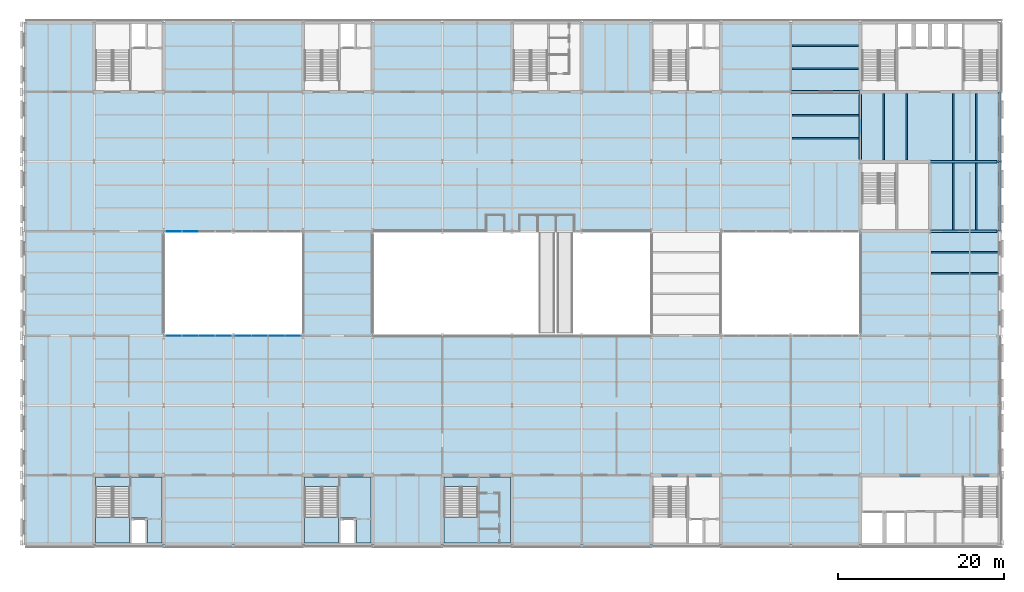
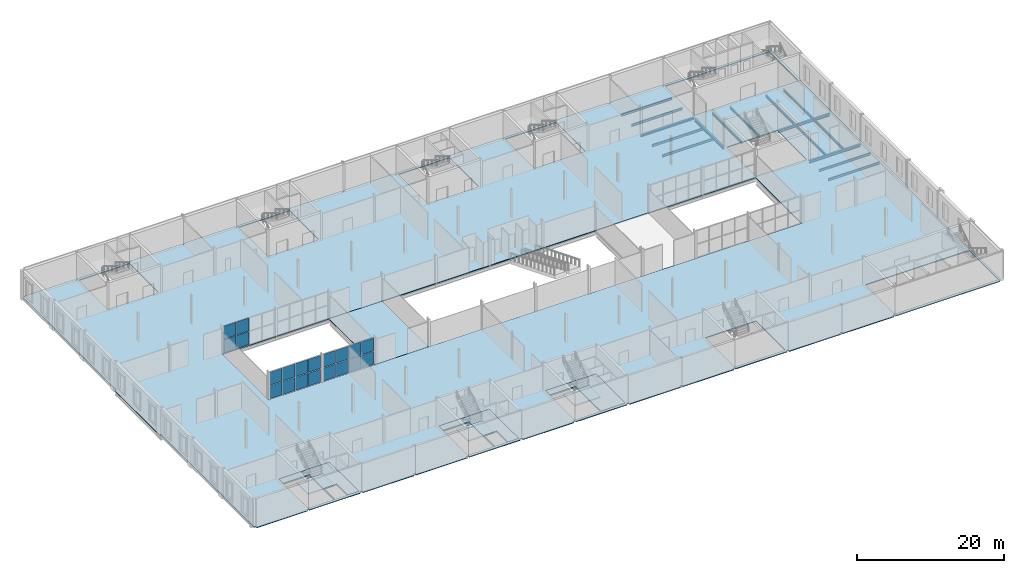
# One storey, part 25 of 52: 20 plates, 18 beams, 8 slabs, 6 elements without a shape of their own.
"""IFC4 building model written with IfcOpenShell, lengths in metres."""

from ifc_helpers import new_model, si_unit, direction, frame, origin, origin_2d, place, context, subcontext, project, spatial, polyline, rectangle, i_section, outline, extrude, material, layer, layer_set, material_profile, profile_set, type_object, element, aggregate, save


model = new_model("IFC4")

# Units and contexts
model_context = context("Model", 3, precision=1e-05, world=origin(), true_north=direction((0.0, 1.0)))
body_context = subcontext(model_context, "Body", "Model", "MODEL_VIEW")
ifc_project = project(units=[si_unit("LENGTHUNIT", "METRE"), si_unit("AREAUNIT", "SQUARE_METRE"), si_unit("VOLUMEUNIT", "CUBIC_METRE"), si_unit("PLANEANGLEUNIT", "RADIAN"), si_unit("MASSUNIT", "GRAM", prefix="KILO")], contexts=[model_context])

# Site, building, storey
site_placement = place(None, origin())
site = spatial("IfcSite", under=ifc_project, at=site_placement, CompositionType="ELEMENT")
building_placement = place(site_placement, origin())
building = spatial("IfcBuilding", under=site, at=building_placement, Name="Galleria Vessillo Department Store", CompositionType="ELEMENT")
storey_placement = place(building_placement, frame((0.0, 0.0, 16.199951171875)))
storey = spatial("IfcBuildingStorey", under=building, at=storey_placement, Name="L03", CompositionType="ELEMENT", Elevation=16.199951171875)

# Beams
ifc_material_1 = material(Name="Steel S355 J2", Category="steel")
ifc_material_profile_1 = material_profile(ifc_material_1, i_section(OverallWidth=0.300048828125, OverallDepth=0.43994140625, WebThickness=0.011474609375, FlangeThickness=0.02099609375, FilletRadius=0.027099609375, at=origin_2d()), Name="HEA 450")
ifc_profile_set_1 = profile_set([ifc_material_profile_1], Name="Steel S355 J2")
beam_type_1 = type_object("IfcBeamType", Name="Floor girder HEA 450", PredefinedType="BEAM", material=ifc_profile_set_1)
for number, where, z_axis, x_axis, name in (
    (1, (109.210693359375, 37.800048828125, -0.369873046875), (1.0, 0.0, 0.0), (0.0, 1.0, 0.0), "S-BM-L03-GI-x37800-109211"),
    (2, (109.210693359375, 46.199951171875, -0.369873046875), (1.0, 0.0, 0.0), (0.0, 1.0, 0.0), "S-BM-L03-GI-x46200-109211"),
):
    element("IfcBeam", number, at=place(storey_placement, frame(where, z_axis=z_axis, x_axis=x_axis)), inside=storey, type_object=beam_type_1, Name=name, PredefinedType="BEAM", context=body_context, shape_type="SweptSolid", body=[
        extrude(i_section(OverallWidth=0.300048828125, OverallDepth=0.43994140625, WebThickness=0.011474609375, FlangeThickness=0.02099609375, FilletRadius=0.027099609375, at=origin_2d()), origin(), (0.0, 0.0, 1.0), 8.103271484375),
    ])
beam_1_placement = place(storey_placement, frame((100.800048828125, 46.486083984375, -0.369873046875), z_axis=(0.0, 1.0, 0.0), x_axis=(-1.0, 0.0, 0.0)))
element("IfcBeam", 3, at=beam_1_placement, inside=storey, type_object=beam_type_1, Name="S-BM-L03-GI-y100800-46486", PredefinedType="BEAM", context=body_context, shape_type="SweptSolid", body=[
    extrude(i_section(OverallWidth=0.300048828125, OverallDepth=0.43994140625, WebThickness=0.011474609375, FlangeThickness=0.02099609375, FilletRadius=0.027099609375, at=origin_2d()), origin(), (0.0, 0.0, 1.0), 7.827880859375),
])
ifc_material_2 = material(Name="Steel S355 J2", Category="steel")
ifc_material_profile_2 = material_profile(ifc_material_2, i_section(OverallWidth=0.179931640625, OverallDepth=0.39990234375, WebThickness=0.008544921875, FlangeThickness=0.013427734375, FilletRadius=0.02099609375, at=origin_2d()), Name="IPE 400")
ifc_profile_set_2 = profile_set([ifc_material_profile_2], Name="Steel S355 J2")
beam_type_2 = type_object("IfcBeamType", Name="Floor joist IPE 400", PredefinedType="JOIST", material=ifc_profile_set_2)
for number, where, z_axis, x_axis, name in (
    (4, (92.550048828125, 49.0, -0.349853515625), (1.0, 0.0, 0.0), (0.0, 1.0, 0.0), "S-BM-L03-JO-x49000-92550"),
    (5, (92.550048828125, 51.800048828125, -0.349853515625), (1.0, 0.0, 0.0), (0.0, 1.0, 0.0), "S-BM-L03-JO-x51800-92550"),
):
    element("IfcBeam", number, at=place(storey_placement, frame(where, z_axis=z_axis, x_axis=x_axis)), inside=storey, type_object=beam_type_2, Name=name, PredefinedType="JOIST", context=body_context, shape_type="SweptSolid", body=[
        extrude(i_section(OverallWidth=0.179931640625, OverallDepth=0.39990234375, WebThickness=0.008544921875, FlangeThickness=0.013427734375, FilletRadius=0.02099609375, at=origin_2d()), origin(), (0.0, 0.0, 1.0), 8.099853515625),
    ])
for number, where, z_axis, x_axis, name in (
    (6, (92.550048828125, 57.39990234375, -0.349853515625), (1.0, 0.0, 0.0), (0.0, 1.0, 0.0), "S-BM-L03-JO-x57400-92550"),
    (7, (92.550048828125, 60.199951171875, -0.349853515625), (1.0, 0.0, 0.0), (0.0, 1.0, 0.0), "S-BM-L03-JO-x60200-92550"),
):
    element("IfcBeam", number, at=place(storey_placement, frame(where, z_axis=z_axis, x_axis=x_axis)), inside=storey, type_object=beam_type_2, Name=name, PredefinedType="JOIST", context=body_context, shape_type="SweptSolid", body=[
        extrude(i_section(OverallWidth=0.179931640625, OverallDepth=0.39990234375, WebThickness=0.008544921875, FlangeThickness=0.013427734375, FilletRadius=0.02099609375, at=origin_2d()), origin(), (0.0, 0.0, 1.0), 8.0498046875),
    ])
for number, where, z_axis, x_axis, name in (
    (8, (103.60009765625, 46.400146484375, -0.349853515625), (0.0, 1.0, 0.0), (-1.0, 0.0, 0.0), "S-BM-L03-JO-y103600-46400"),
    (9, (106.39990234375, 46.400146484375, -0.349853515625), (0.0, 1.0, 0.0), (-1.0, 0.0, 0.0), "S-BM-L03-JO-y106400-46400"),
):
    element("IfcBeam", number, at=place(storey_placement, frame(where, z_axis=z_axis, x_axis=x_axis)), inside=storey, type_object=beam_type_2, Name=name, PredefinedType="JOIST", context=body_context, shape_type="SweptSolid", body=[
        extrude(i_section(OverallWidth=0.179931640625, OverallDepth=0.39990234375, WebThickness=0.008544921875, FlangeThickness=0.013427734375, FilletRadius=0.02099609375, at=origin_2d()), origin(), (0.0, 0.0, 1.0), 7.999755859375),
    ])
for number, where, z_axis, x_axis, name in (
    (10, (109.35009765625, 32.760009765625, -0.349853515625), (1.0, 0.0, 0.0), (0.0, 1.0, 0.0), "S-BM-L03-JO-x32760-109350"),
    (11, (109.35009765625, 35.280029296875, -0.349853515625), (1.0, 0.0, 0.0), (0.0, 1.0, 0.0), "S-BM-L03-JO-x35280-109350"),
):
    element("IfcBeam", number, at=place(storey_placement, frame(where, z_axis=z_axis, x_axis=x_axis)), inside=storey, type_object=beam_type_2, Name=name, PredefinedType="JOIST", context=body_context, shape_type="SweptSolid", body=[
        extrude(i_section(OverallWidth=0.179931640625, OverallDepth=0.39990234375, WebThickness=0.008544921875, FlangeThickness=0.013427734375, FilletRadius=0.02099609375, at=origin_2d()), origin(), (0.0, 0.0, 1.0), 8.09765625),
    ])
for number, where, z_axis, x_axis, name in (
    (12, (112.0, 37.9501953125, -0.349853515625), (0.0, 1.0, 0.0), (-1.0, 0.0, 0.0), "S-BM-L03-JO-y112000-37950"),
    (13, (114.800048828125, 37.9501953125, -0.349853515625), (0.0, 1.0, 0.0), (-1.0, 0.0, 0.0), "S-BM-L03-JO-y114800-37950"),
):
    element("IfcBeam", number, at=place(storey_placement, frame(where, z_axis=z_axis, x_axis=x_axis)), inside=storey, type_object=beam_type_2, Name=name, PredefinedType="JOIST", context=body_context, shape_type="SweptSolid", body=[
        extrude(i_section(OverallWidth=0.179931640625, OverallDepth=0.39990234375, WebThickness=0.008544921875, FlangeThickness=0.013427734375, FilletRadius=0.02099609375, at=origin_2d()), origin(), (0.0, 0.0, 1.0), 8.099609375),
    ])
for number, where, z_axis, x_axis, name in (
    (14, (112.0, 46.35009765625, -0.349853515625), (0.0, 1.0, 0.0), (-1.0, 0.0, 0.0), "S-BM-L03-JO-y112000-46350"),
    (15, (114.800048828125, 46.35009765625, -0.349853515625), (0.0, 1.0, 0.0), (-1.0, 0.0, 0.0), "S-BM-L03-JO-y114800-46350"),
):
    element("IfcBeam", number, at=place(storey_placement, frame(where, z_axis=z_axis, x_axis=x_axis)), inside=storey, type_object=beam_type_2, Name=name, PredefinedType="JOIST", context=body_context, shape_type="SweptSolid", body=[
        extrude(i_section(OverallWidth=0.179931640625, OverallDepth=0.39990234375, WebThickness=0.008544921875, FlangeThickness=0.013427734375, FilletRadius=0.02099609375, at=origin_2d()), origin(), (0.0, 0.0, 1.0), 8.0498046875),
    ])
ifc_material_3 = material(Name="Steel S355 J2", Category="steel")
ifc_material_profile_3 = material_profile(ifc_material_3, i_section(OverallWidth=0.300048828125, OverallDepth=0.330078125, WebThickness=0.009521484375, FlangeThickness=0.0166015625, FilletRadius=0.027099609375, at=origin_2d()), Name="HEA 340")
ifc_profile_set_3 = profile_set([ifc_material_profile_3], Name="Steel S355 J2")
beam_type_3 = type_object("IfcBeamType", Name="Floor tie girder HEA 340", PredefinedType="BEAM", material=ifc_profile_set_3)
beam_2_placement = place(storey_placement, frame((92.41064453125, 54.60009765625, -0.31494140625), z_axis=(1.0, 0.0, 0.0), x_axis=(0.0, 1.0, 0.0)))
element("IfcBeam", 16, at=beam_2_placement, inside=storey, type_object=beam_type_3, Name="S-BM-L03-TI-x54600-92411", PredefinedType="BEAM", context=body_context, shape_type="SweptSolid", body=[
    extrude(i_section(OverallWidth=0.300048828125, OverallDepth=0.330078125, WebThickness=0.009521484375, FlangeThickness=0.0166015625, FilletRadius=0.027099609375, at=origin_2d()), origin(), (0.0, 0.0, 1.0), 8.378662109375),
])
ifc_material_4 = material(Name="Steel S355 J2", Category="steel")
ifc_material_profile_4 = material_profile(ifc_material_4, i_section(OverallWidth=0.300048828125, OverallDepth=0.35009765625, WebThickness=0.010009765625, FlangeThickness=0.017578125, FilletRadius=0.027099609375, at=origin_2d()), Name="HEA 360")
ifc_profile_set_4 = profile_set([ifc_material_profile_4], Name="Steel S355 J2")
beam_type_4 = type_object("IfcBeamType", Name="Spandrel beam HEA 360", PredefinedType="SPANDREL", material=ifc_profile_set_4)
beam_3_placement = place(storey_placement, frame((117.60009765625, 37.810546875, -0.324951171875), z_axis=(0.0, 1.0, 0.0), x_axis=(-1.0, 0.0, 0.0)))
element("IfcBeam", 17, at=beam_3_placement, inside=storey, type_object=beam_type_4, Name="S-BM-L03-SP-y117600-37811", PredefinedType="SPANDREL", context=body_context, shape_type="SweptSolid", body=[
    extrude(i_section(OverallWidth=0.300048828125, OverallDepth=0.35009765625, WebThickness=0.010009765625, FlangeThickness=0.017578125, FilletRadius=0.027099609375, at=origin_2d()), origin(), (0.0, 0.0, 1.0), 8.37890625),
])
beam_4_placement = place(storey_placement, frame((117.60009765625, 46.210693359375, -0.324951171875), z_axis=(0.0, 1.0, 0.0), x_axis=(-1.0, 0.0, 0.0)))
element("IfcBeam", 18, at=beam_4_placement, inside=storey, type_object=beam_type_4, Name="S-BM-L03-SP-y117600-46211", PredefinedType="SPANDREL", context=body_context, shape_type="SweptSolid", body=[
    extrude(i_section(OverallWidth=0.300048828125, OverallDepth=0.35009765625, WebThickness=0.010009765625, FlangeThickness=0.017578125, FilletRadius=0.027099609375, at=origin_2d()), origin(), (0.0, 0.0, 1.0), 8.378662109375),
])

# Slabs
ifc_material_5 = material(Name="Concrete C32/40 composite on steel deck", Category="concrete")
ifc_layer_1 = layer(ifc_material_5, 0.14990234375)
ifc_layer_set_1 = layer_set([ifc_layer_1], Name="Concrete C32/40 composite on steel deck")
slab_type_1 = type_object("IfcSlabType", Name="Composite bridge slab 150 mm", PredefinedType="FLOOR", material=ifc_layer_set_1)
slab_1_placement = place(storey_placement, frame((0.0, 0.0, -0.14990234375)))
element("IfcSlab", 19, at=slab_1_placement, inside=storey, type_object=slab_type_1, Name="S-SLAB-L03-BRIDGE-W", PredefinedType="FLOOR", context=body_context, shape_type="SweptSolid", body=[
    extrude(outline(polyline([(42.0, 25.199951171875), (42.0, 37.800048828125), (33.60009765625, 37.800048828125), (33.60009765625, 25.199951171875), (42.0, 25.199951171875)])), origin(), (0.0, 0.0, 1.0), 0.14990234375),
])
ifc_material_6 = material(Name="Concrete C32/40 composite on steel deck", Category="concrete")
ifc_layer_2 = layer(ifc_material_6, 0.14990234375)
ifc_layer_set_2 = layer_set([ifc_layer_2], Name="Concrete C32/40 composite on steel deck")
slab_type_2 = type_object("IfcSlabType", Name="Composite floor slab 150 mm", PredefinedType="FLOOR", material=ifc_layer_set_2)
slab_2_placement = place(storey_placement, frame((0.0, 0.0, -0.14990234375)))
element("IfcSlab", 20, at=slab_2_placement, inside=storey, type_object=slab_type_2, Name="S-SLAB-L03-FLOOR", PredefinedType="FLOOR", context=body_context, shape_type="SweptSolid", body=[
    extrude(outline(polyline([(84.153564453125, 0.0), (83.846435546875, 0.0), (83.846435546875, -0.199462890625), (75.750732421875, -0.199462890625), (75.750732421875, 0.0), (75.449462890625, 0.0), (75.449462890625, -0.24951171875), (67.3505859375, -0.24951171875), (67.3505859375, 0.0), (67.04931640625, 0.0), (67.04931640625, -0.24951171875), (58.95068359375, -0.24951171875), (58.95068359375, 0.0), (58.6494140625, 0.0), (58.6494140625, -0.199462890625), (50.550537109375, -0.199462890625), (50.550537109375, 0.0), (50.249267578125, 0.0), (50.249267578125, -0.24951171875), (42.150634765625, -0.24951171875), (42.150634765625, 0.0), (41.849365234375, 0.0), (41.849365234375, -0.199462890625), (33.750732421875, -0.199462890625), (33.750732421875, 0.0), (33.449462890625, 0.0), (33.449462890625, -0.24951171875), (25.3505859375, -0.24951171875), (25.3505859375, 0.0), (25.04931640625, 0.0), (25.04931640625, -0.24951171875), (16.95068359375, -0.24951171875), (16.95068359375, 0.0), (16.6494140625, 0.0), (16.6494140625, -0.199462890625), (8.550537109375, -0.199462890625), (8.550537109375, 0.0), (8.249267578125, 0.0), (8.249267578125, -0.24951171875), (0.25048828125, -0.24951171875), (0.25048828125, 0.0), (0.0, 0.0), (0.0, 25.35302734375), (-0.25, 25.35302734375), (-0.25, 37.646484375), (0.0, 37.646484375), (0.0, 63.0), (0.25048828125, 63.0), (0.25048828125, 63.24951171875), (8.249267578125, 63.24951171875), (8.249267578125, 63.0), (8.550537109375, 63.0), (8.550537109375, 63.199462890625), (16.6494140625, 63.199462890625), (16.6494140625, 63.0), (16.95068359375, 63.0), (16.95068359375, 63.24951171875), (25.04931640625, 63.24951171875), (25.04931640625, 63.0), (25.3505859375, 63.0), (25.3505859375, 63.24951171875), (33.449462890625, 63.24951171875), (33.449462890625, 63.0), (33.750732421875, 63.0), (33.750732421875, 63.199462890625), (41.849365234375, 63.199462890625), (41.849365234375, 63.0), (42.150634765625, 63.0), (42.150634765625, 63.24951171875), (50.249267578125, 63.24951171875), (50.249267578125, 63.0), (50.550537109375, 63.0), (50.550537109375, 63.24951171875), (58.6494140625, 63.24951171875), (58.6494140625, 63.0), (58.95068359375, 63.0), (58.95068359375, 63.199462890625), (67.04931640625, 63.199462890625), (67.04931640625, 63.0), (67.3505859375, 63.0), (67.3505859375, 63.24951171875), (75.449462890625, 63.24951171875), (75.449462890625, 63.0), (75.750732421875, 63.0), (75.750732421875, 63.199462890625), (83.846435546875, 63.199462890625), (83.846435546875, 63.0), (84.153564453125, 63.0), (84.153564453125, 63.24951171875), (92.246337890625, 63.24951171875), (92.246337890625, 63.0), (92.553466796875, 63.0), (92.553466796875, 63.24951171875), (100.646484375, 63.24951171875), (100.646484375, 63.0), (100.95361328125, 63.0), (100.95361328125, 63.199462890625), (117.3134765625, 63.199462890625), (117.3134765625, 63.0), (117.60009765625, 63.0), (117.60009765625, 62.846435546875), (117.799560546875, 62.846435546875), (117.799560546875, 54.753662109375), (117.60009765625, 54.753662109375), (117.60009765625, 37.646484375), (117.7001953125, 37.646484375), (117.7001953125, 25.35302734375), (117.60009765625, 25.35302734375), (117.60009765625, 8.249267578125), (117.68017578125, 8.249267578125), (117.68017578125, 0.150634765625), (117.60009765625, 0.150634765625), (117.60009765625, 0.0), (117.349609375, 0.0), (117.349609375, -0.199462890625), (100.95361328125, -0.199462890625), (100.95361328125, 0.0), (100.646484375, 0.0), (100.646484375, -0.24951171875), (92.553466796875, -0.24951171875), (92.553466796875, 0.0), (92.246337890625, 0.0), (92.246337890625, -0.24951171875), (84.153564453125, -0.24951171875), (84.153564453125, 0.0)]), holes=[polyline([(16.800048828125, 37.800048828125), (16.800048828125, 25.199951171875), (100.800048828125, 25.199951171875), (100.800048828125, 37.800048828125), (16.800048828125, 37.800048828125)]), polyline([(8.599853515625, 8.199951171875), (8.599853515625, 0.199951171875), (16.60009765625, 0.199951171875), (16.60009765625, 8.199951171875), (8.599853515625, 8.199951171875)]), polyline([(33.800048828125, 8.199951171875), (33.800048828125, 0.199951171875), (41.800048828125, 0.199951171875), (41.800048828125, 8.199951171875), (33.800048828125, 8.199951171875)]), polyline([(50.599853515625, 8.199951171875), (50.599853515625, 0.199951171875), (58.60009765625, 0.199951171875), (58.60009765625, 8.199951171875), (50.599853515625, 8.199951171875)]), polyline([(16.60009765625, 62.800048828125), (8.599853515625, 62.800048828125), (8.599853515625, 54.800048828125), (16.60009765625, 54.800048828125), (16.60009765625, 62.800048828125)]), polyline([(41.800048828125, 62.800048828125), (33.800048828125, 62.800048828125), (33.800048828125, 54.800048828125), (41.800048828125, 54.800048828125), (41.800048828125, 62.800048828125)]), polyline([(59.0, 62.800048828125), (59.0, 54.800048828125), (67.0, 54.800048828125), (67.0, 62.800048828125), (59.0, 62.800048828125)]), polyline([(83.800048828125, 8.199951171875), (75.800048828125, 8.199951171875), (75.800048828125, 0.199951171875), (83.800048828125, 0.199951171875), (83.800048828125, 8.199951171875)]), polyline([(117.400146484375, 8.199951171875), (101.0, 8.199951171875), (101.0, 0.199951171875), (117.400146484375, 0.199951171875), (117.400146484375, 8.199951171875)]), polyline([(101.0, 46.0), (101.0, 38.0), (109.0, 38.0), (109.0, 46.0), (101.0, 46.0)]), polyline([(83.800048828125, 62.800048828125), (75.800048828125, 62.800048828125), (75.800048828125, 54.800048828125), (83.800048828125, 54.800048828125), (83.800048828125, 62.800048828125)]), polyline([(117.400146484375, 62.800048828125), (101.0, 62.800048828125), (101.0, 54.800048828125), (117.400146484375, 54.800048828125), (117.400146484375, 62.800048828125)])]), origin(), (0.0, 0.0, 1.0), 0.14990234375),
])

# Curtain wall, plates
ifc_material_7 = material(Name="Steel and fire-resisting glass curtain wall", Category="steel")
ifc_layer_3 = layer(ifc_material_7, 0.199951171875)
ifc_layer_set_3 = layer_set([ifc_layer_3], Name="Steel and fire-resisting glass curtain wall")
curtain_wall_type = type_object("IfcCurtainWallType", Name="Arcade fire-resisting glazed shopfront EI 120-Sa", PredefinedType="NOTDEFINED", material=ifc_layer_set_3)
curtain_wall_1_placement = place(storey_placement, origin())
curtain_wall_1 = element("IfcCurtainWall", 21, at=curtain_wall_1_placement, inside=storey, type_object=curtain_wall_type, Name="Arcade fire-resisting glazed shopfront EI 120-Sa AI-AW-S-L03-01", PredefinedType="NOTDEFINED")
ifc_material_8 = material(Name="Fire-resisting laminated glass EI 120", Category="glass")
ifc_layer_4 = layer(ifc_material_8, 0.052001953125)
ifc_layer_set_4 = layer_set([ifc_layer_4], Name="Fire-resisting laminated glass EI 120")
plate_type = type_object("IfcPlateType", Name="Fire-resisting glass panel 52 mm EI 120", PredefinedType="CURTAIN_PANEL", material=ifc_layer_set_4)
plate_1_placement = place(storey_placement, frame((17.989501953125, 25.199951171875, 0.10009765625), z_axis=(0.0, 0.0, 1.0), x_axis=(1.0, 0.0, 0.0)))
plate_1 = element("IfcPlate", 22, at=plate_1_placement, type_object=plate_type, Name="CW7 panel 1.1", PredefinedType="CURTAIN_PANEL", context=body_context, shape_type="SweptSolid", body=[
    extrude(rectangle(XDim=1.87353515625, YDim=0.052001953125, at=origin_2d()), origin(), (0.0, 0.0, 1.0), 2.175048828125),
])
plate_2_placement = place(storey_placement, frame((17.989501953125, 25.199951171875, 2.375), z_axis=(0.0, 0.0, 1.0), x_axis=(1.0, 0.0, 0.0)))
plate_2 = element("IfcPlate", 23, at=plate_2_placement, type_object=plate_type, Name="CW7 panel 1.2", PredefinedType="CURTAIN_PANEL", context=body_context, shape_type="SweptSolid", body=[
    extrude(rectangle(XDim=1.87353515625, YDim=0.052001953125, at=origin_2d()), origin(), (0.0, 0.0, 1.0), 2.175048828125),
])
plate_3_placement = place(storey_placement, frame((19.988037109375, 25.199951171875, 0.10009765625), z_axis=(0.0, 0.0, 1.0), x_axis=(1.0, 0.0, 0.0)))
plate_3 = element("IfcPlate", 24, at=plate_3_placement, type_object=plate_type, Name="CW7 panel 2.1", PredefinedType="CURTAIN_PANEL", context=body_context, shape_type="SweptSolid", body=[
    extrude(rectangle(XDim=1.923583984375, YDim=0.052001953125, at=origin_2d()), origin(), (0.0, 0.0, 1.0), 2.175048828125),
])
plate_4_placement = place(storey_placement, frame((19.988037109375, 25.199951171875, 2.375), z_axis=(0.0, 0.0, 1.0), x_axis=(1.0, 0.0, 0.0)))
plate_4 = element("IfcPlate", 25, at=plate_4_placement, type_object=plate_type, Name="CW7 panel 2.2", PredefinedType="CURTAIN_PANEL", context=body_context, shape_type="SweptSolid", body=[
    extrude(rectangle(XDim=1.923583984375, YDim=0.052001953125, at=origin_2d()), origin(), (0.0, 0.0, 1.0), 2.175048828125),
])
plate_5_placement = place(storey_placement, frame((22.011474609375, 25.199951171875, 0.10009765625), z_axis=(0.0, 0.0, 1.0), x_axis=(1.0, 0.0, 0.0)))
plate_5 = element("IfcPlate", 26, at=plate_5_placement, type_object=plate_type, Name="CW7 panel 3.1", PredefinedType="CURTAIN_PANEL", context=body_context, shape_type="SweptSolid", body=[
    extrude(rectangle(XDim=1.923583984375, YDim=0.052001953125, at=origin_2d()), origin(), (0.0, 0.0, 1.0), 2.175048828125),
])
plate_6_placement = place(storey_placement, frame((22.011474609375, 25.199951171875, 2.375), z_axis=(0.0, 0.0, 1.0), x_axis=(1.0, 0.0, 0.0)))
plate_6 = element("IfcPlate", 27, at=plate_6_placement, type_object=plate_type, Name="CW7 panel 3.2", PredefinedType="CURTAIN_PANEL", context=body_context, shape_type="SweptSolid", body=[
    extrude(rectangle(XDim=1.923583984375, YDim=0.052001953125, at=origin_2d()), origin(), (0.0, 0.0, 1.0), 2.175048828125),
])
plate_7_placement = place(storey_placement, frame((24.010009765625, 25.199951171875, 0.10009765625), z_axis=(0.0, 0.0, 1.0), x_axis=(1.0, 0.0, 0.0)))
plate_7 = element("IfcPlate", 28, at=plate_7_placement, type_object=plate_type, Name="CW7 panel 4.1", PredefinedType="CURTAIN_PANEL", context=body_context, shape_type="SweptSolid", body=[
    extrude(rectangle(XDim=1.87353515625, YDim=0.052001953125, at=origin_2d()), origin(), (0.0, 0.0, 1.0), 2.175048828125),
])
plate_8_placement = place(storey_placement, frame((24.010009765625, 25.199951171875, 2.375), z_axis=(0.0, 0.0, 1.0), x_axis=(1.0, 0.0, 0.0)))
plate_8 = element("IfcPlate", 29, at=plate_8_placement, type_object=plate_type, Name="CW7 panel 4.2", PredefinedType="CURTAIN_PANEL", context=body_context, shape_type="SweptSolid", body=[
    extrude(rectangle(XDim=1.87353515625, YDim=0.052001953125, at=origin_2d()), origin(), (0.0, 0.0, 1.0), 2.175048828125),
])
aggregate(curtain_wall_1, [plate_1, plate_2, plate_3, plate_4, plate_5, plate_6, plate_7, plate_8])

curtain_wall_2_placement = place(storey_placement, origin())
curtain_wall_2 = element("IfcCurtainWall", 30, at=curtain_wall_2_placement, inside=storey, type_object=curtain_wall_type, Name="Arcade fire-resisting glazed shopfront EI 120-Sa AI-AW-S-L03-02", PredefinedType="NOTDEFINED")
plate_9_placement = place(storey_placement, frame((26.389892578125, 25.199951171875, 0.10009765625), z_axis=(0.0, 0.0, 1.0), x_axis=(1.0, 0.0, 0.0)))
plate_9 = element("IfcPlate", 31, at=plate_9_placement, type_object=plate_type, Name="CW7 panel 1.1", PredefinedType="CURTAIN_PANEL", context=body_context, shape_type="SweptSolid", body=[
    extrude(rectangle(XDim=1.87353515625, YDim=0.052001953125, at=origin_2d()), origin(), (0.0, 0.0, 1.0), 2.175048828125),
])
plate_10_placement = place(storey_placement, frame((26.389892578125, 25.199951171875, 2.375), z_axis=(0.0, 0.0, 1.0), x_axis=(1.0, 0.0, 0.0)))
plate_10 = element("IfcPlate", 32, at=plate_10_placement, type_object=plate_type, Name="CW7 panel 1.2", PredefinedType="CURTAIN_PANEL", context=body_context, shape_type="SweptSolid", body=[
    extrude(rectangle(XDim=1.87353515625, YDim=0.052001953125, at=origin_2d()), origin(), (0.0, 0.0, 1.0), 2.175048828125),
])
plate_11_placement = place(storey_placement, frame((28.388427734375, 25.199951171875, 0.10009765625), z_axis=(0.0, 0.0, 1.0), x_axis=(1.0, 0.0, 0.0)))
plate_11 = element("IfcPlate", 33, at=plate_11_placement, type_object=plate_type, Name="CW7 panel 2.1", PredefinedType="CURTAIN_PANEL", context=body_context, shape_type="SweptSolid", body=[
    extrude(rectangle(XDim=1.923583984375, YDim=0.052001953125, at=origin_2d()), origin(), (0.0, 0.0, 1.0), 2.175048828125),
])
plate_12_placement = place(storey_placement, frame((28.388427734375, 25.199951171875, 2.375), z_axis=(0.0, 0.0, 1.0), x_axis=(1.0, 0.0, 0.0)))
plate_12 = element("IfcPlate", 34, at=plate_12_placement, type_object=plate_type, Name="CW7 panel 2.2", PredefinedType="CURTAIN_PANEL", context=body_context, shape_type="SweptSolid", body=[
    extrude(rectangle(XDim=1.923583984375, YDim=0.052001953125, at=origin_2d()), origin(), (0.0, 0.0, 1.0), 2.175048828125),
])
plate_13_placement = place(storey_placement, frame((30.412109375, 25.199951171875, 0.10009765625), z_axis=(0.0, 0.0, 1.0), x_axis=(1.0, 0.0, 0.0)))
plate_13 = element("IfcPlate", 35, at=plate_13_placement, type_object=plate_type, Name="CW7 panel 3.1", PredefinedType="CURTAIN_PANEL", context=body_context, shape_type="SweptSolid", body=[
    extrude(rectangle(XDim=1.923583984375, YDim=0.052001953125, at=origin_2d()), origin(), (0.0, 0.0, 1.0), 2.175048828125),
])
plate_14_placement = place(storey_placement, frame((30.412109375, 25.199951171875, 2.375), z_axis=(0.0, 0.0, 1.0), x_axis=(1.0, 0.0, 0.0)))
plate_14 = element("IfcPlate", 36, at=plate_14_placement, type_object=plate_type, Name="CW7 panel 3.2", PredefinedType="CURTAIN_PANEL", context=body_context, shape_type="SweptSolid", body=[
    extrude(rectangle(XDim=1.923583984375, YDim=0.052001953125, at=origin_2d()), origin(), (0.0, 0.0, 1.0), 2.175048828125),
])
plate_15_placement = place(storey_placement, frame((32.41064453125, 25.199951171875, 0.10009765625), z_axis=(0.0, 0.0, 1.0), x_axis=(1.0, 0.0, 0.0)))
plate_15 = element("IfcPlate", 37, at=plate_15_placement, type_object=plate_type, Name="CW7 panel 4.1", PredefinedType="CURTAIN_PANEL", context=body_context, shape_type="SweptSolid", body=[
    extrude(rectangle(XDim=1.87353515625, YDim=0.052001953125, at=origin_2d()), origin(), (0.0, 0.0, 1.0), 2.175048828125),
])
plate_16_placement = place(storey_placement, frame((32.41064453125, 25.199951171875, 2.375), z_axis=(0.0, 0.0, 1.0), x_axis=(1.0, 0.0, 0.0)))
plate_16 = element("IfcPlate", 38, at=plate_16_placement, type_object=plate_type, Name="CW7 panel 4.2", PredefinedType="CURTAIN_PANEL", context=body_context, shape_type="SweptSolid", body=[
    extrude(rectangle(XDim=1.87353515625, YDim=0.052001953125, at=origin_2d()), origin(), (0.0, 0.0, 1.0), 2.175048828125),
])
aggregate(curtain_wall_2, [plate_9, plate_10, plate_11, plate_12, plate_13, plate_14, plate_15, plate_16])

curtain_wall_3_placement = place(storey_placement, origin())
curtain_wall_3 = element("IfcCurtainWall", 39, at=curtain_wall_3_placement, inside=storey, type_object=curtain_wall_type, Name="Arcade fire-resisting glazed shopfront EI 120-Sa AI-AW-N-L03-01", PredefinedType="NOTDEFINED")
plate_17_placement = place(storey_placement, frame((17.989501953125, 37.800048828125, 0.10009765625), z_axis=(0.0, 0.0, 1.0), x_axis=(1.0, 0.0, 0.0)))
plate_17 = element("IfcPlate", 40, at=plate_17_placement, type_object=plate_type, Name="CW7 panel 1.1", PredefinedType="CURTAIN_PANEL", context=body_context, shape_type="SweptSolid", body=[
    extrude(rectangle(XDim=1.87353515625, YDim=0.052001953125, at=origin_2d()), origin(), (0.0, 0.0, 1.0), 2.175048828125),
])
plate_18_placement = place(storey_placement, frame((17.989501953125, 37.800048828125, 2.375), z_axis=(0.0, 0.0, 1.0), x_axis=(1.0, 0.0, 0.0)))
plate_18 = element("IfcPlate", 41, at=plate_18_placement, type_object=plate_type, Name="CW7 panel 1.2", PredefinedType="CURTAIN_PANEL", context=body_context, shape_type="SweptSolid", body=[
    extrude(rectangle(XDim=1.87353515625, YDim=0.052001953125, at=origin_2d()), origin(), (0.0, 0.0, 1.0), 2.175048828125),
])
plate_19_placement = place(storey_placement, frame((19.988037109375, 37.800048828125, 0.10009765625), z_axis=(0.0, 0.0, 1.0), x_axis=(1.0, 0.0, 0.0)))
plate_19 = element("IfcPlate", 42, at=plate_19_placement, type_object=plate_type, Name="CW7 panel 2.1", PredefinedType="CURTAIN_PANEL", context=body_context, shape_type="SweptSolid", body=[
    extrude(rectangle(XDim=1.923583984375, YDim=0.052001953125, at=origin_2d()), origin(), (0.0, 0.0, 1.0), 2.175048828125),
])
plate_20_placement = place(storey_placement, frame((19.988037109375, 37.800048828125, 2.375), z_axis=(0.0, 0.0, 1.0), x_axis=(1.0, 0.0, 0.0)))
plate_20 = element("IfcPlate", 43, at=plate_20_placement, type_object=plate_type, Name="CW7 panel 2.2", PredefinedType="CURTAIN_PANEL", context=body_context, shape_type="SweptSolid", body=[
    extrude(rectangle(XDim=1.923583984375, YDim=0.052001953125, at=origin_2d()), origin(), (0.0, 0.0, 1.0), 2.175048828125),
])
aggregate(curtain_wall_3, [plate_17, plate_18, plate_19, plate_20])

# Slabs
ifc_material_9 = material(Name="Concrete C32/40 reinforced", Category="concrete")
ifc_layer_5 = layer(ifc_material_9, 0.219970703125)
ifc_layer_set_5 = layer_set([ifc_layer_5], Name="Concrete C32/40 reinforced")
slab_type_3 = type_object("IfcSlabType", Name="Reinforced concrete core floor slab 220 mm", PredefinedType="FLOOR", material=ifc_layer_set_5)
slab_3_placement = place(storey_placement, frame((0.0, 0.0, -0.219970703125)))
element("IfcSlab", 44, at=slab_3_placement, inside=storey, type_object=slab_type_3, Name="S-SLAB-L03-CORE-PC-SW", PredefinedType="FLOOR", context=body_context, shape_type="SweptSolid", body=[
    extrude(outline(polyline([(8.599853515625, 8.199951171875), (16.60009765625, 8.199951171875), (16.60009765625, 0.199951171875), (14.85009765625, 0.199951171875), (14.85009765625, 3.199951171875), (12.89990234375, 3.199951171875), (12.89990234375, 0.199951171875), (12.699951171875, 0.199951171875), (12.699951171875, 7.0), (8.60009765625, 7.0), (8.60009765625, 0.199951171875), (8.599853515625, 8.199951171875)])), origin(), (0.0, 0.0, 1.0), 0.219970703125),
])
slab_4_placement = place(storey_placement, frame((0.0, 0.0, -0.219970703125)))
element("IfcSlab", 45, at=slab_4_placement, inside=storey, type_object=slab_type_3, Name="S-SLAB-L03-CORE-PC-SM", PredefinedType="FLOOR", context=body_context, shape_type="SweptSolid", body=[
    extrude(outline(polyline([(33.800048828125, 8.199951171875), (41.800048828125, 8.199951171875), (41.800048828125, 0.199951171875), (40.050048828125, 0.199951171875), (40.050048828125, 3.199951171875), (38.10009765625, 3.199951171875), (38.10009765625, 0.199951171875), (37.89990234375, 0.199951171875), (37.89990234375, 7.0), (33.800048828125, 7.0), (33.800048828125, 8.199951171875)])), origin(), (0.0, 0.0, 1.0), 0.219970703125),
])
slab_5_placement = place(storey_placement, frame((0.0, 0.0, -0.219970703125)))
element("IfcSlab", 46, at=slab_5_placement, inside=storey, type_object=slab_type_3, Name="S-SLAB-L03-CORE-PC-SC", PredefinedType="FLOOR", context=body_context, shape_type="SweptSolid", body=[
    extrude(outline(polyline([(50.599853515625, 8.199951171875), (58.60009765625, 8.199951171875), (58.60009765625, 0.199951171875), (54.699951171875, 0.199951171875), (54.699951171875, 7.0), (50.60009765625, 7.0), (50.60009765625, 0.199951171875), (50.599853515625, 8.199951171875)])), origin(), (0.0, 0.0, 1.0), 0.219970703125),
])

# Stair, slab
ifc_material_10 = material(Name="Concrete C32/40", Category="concrete")
stair_type = type_object("IfcStairType", Name="Half-turn escape stair 2000 mm, 28 risers of 171 mm", PredefinedType="HALF_TURN_STAIR", material=ifc_material_10)
stair_1_placement = place(storey_placement, origin())
stair_1 = element("IfcStair", 47, at=stair_1_placement, inside=storey, type_object=stair_type, Name="Stair ST1 L03", PredefinedType="HALF_TURN_STAIR")
ifc_material_11 = material(Name="Concrete C32/40", Category="concrete")
ifc_layer_6 = layer(ifc_material_11, 0.199951171875)
ifc_layer_set_6 = layer_set([ifc_layer_6], Name="Concrete C32/40")
slab_type_4 = type_object("IfcSlabType", Name="Stair half landing 4100 x 3160 mm", PredefinedType="LANDING", material=ifc_layer_set_6)
slab_6_placement = place(storey_placement, frame((0.0, 0.0, 2.2001953125)))
slab_6 = element("IfcSlab", 48, at=slab_6_placement, type_object=slab_type_4, Name="ST1 landing 1", PredefinedType="LANDING", context=body_context, shape_type="SweptSolid", body=[
    extrude(outline(polyline([(8.599853515625, 0.199951171875), (8.599853515625, 3.360107421875), (12.699951171875, 3.360107421875), (12.699951171875, 0.199951171875), (8.599853515625, 0.199951171875)])), origin(), (0.0, 0.0, 1.0), 0.199951171875),
])
aggregate(stair_1, [slab_6])

stair_2_placement = place(storey_placement, origin())
stair_2 = element("IfcStair", 49, at=stair_2_placement, inside=storey, type_object=stair_type, Name="Stair ST3 L03", PredefinedType="HALF_TURN_STAIR")
slab_7_placement = place(storey_placement, frame((0.0, 0.0, 2.2001953125)))
slab_7 = element("IfcSlab", 50, at=slab_7_placement, type_object=slab_type_4, Name="ST3 landing 1", PredefinedType="LANDING", context=body_context, shape_type="SweptSolid", body=[
    extrude(outline(polyline([(33.800048828125, 0.199951171875), (33.800048828125, 3.360107421875), (37.900146484375, 3.360107421875), (37.900146484375, 0.199951171875), (33.800048828125, 0.199951171875)])), origin(), (0.0, 0.0, 1.0), 0.199951171875),
])
aggregate(stair_2, [slab_7])

stair_3_placement = place(storey_placement, origin())
stair_3 = element("IfcStair", 51, at=stair_3_placement, inside=storey, type_object=stair_type, Name="Stair ST10 L03", PredefinedType="HALF_TURN_STAIR")
slab_8_placement = place(storey_placement, frame((0.0, 0.0, 2.2001953125)))
slab_8 = element("IfcSlab", 52, at=slab_8_placement, type_object=slab_type_4, Name="ST10 landing 1", PredefinedType="LANDING", context=body_context, shape_type="SweptSolid", body=[
    extrude(outline(polyline([(50.599853515625, 0.199951171875), (50.599853515625, 3.360107421875), (54.699951171875, 3.360107421875), (54.699951171875, 0.199951171875), (50.599853515625, 0.199951171875)])), origin(), (0.0, 0.0, 1.0), 0.199951171875),
])
aggregate(stair_3, [slab_8])

save(model, "model.ifc")
